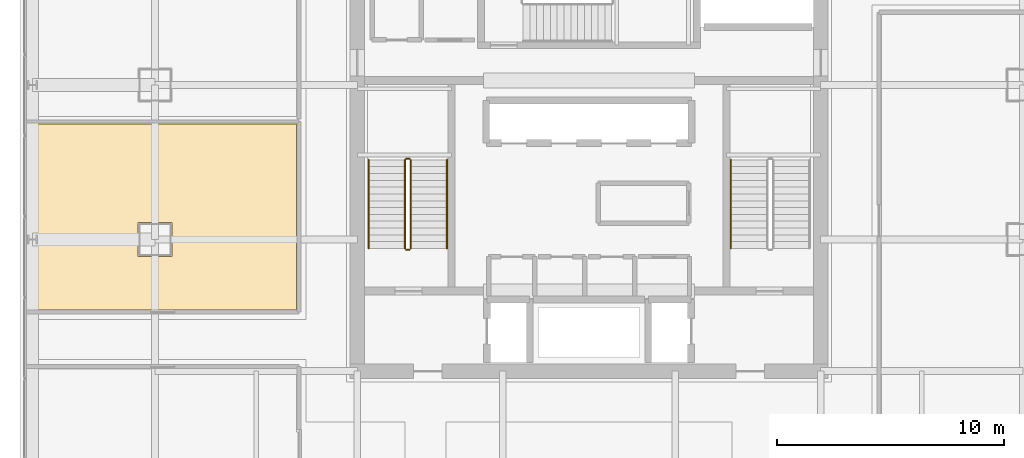
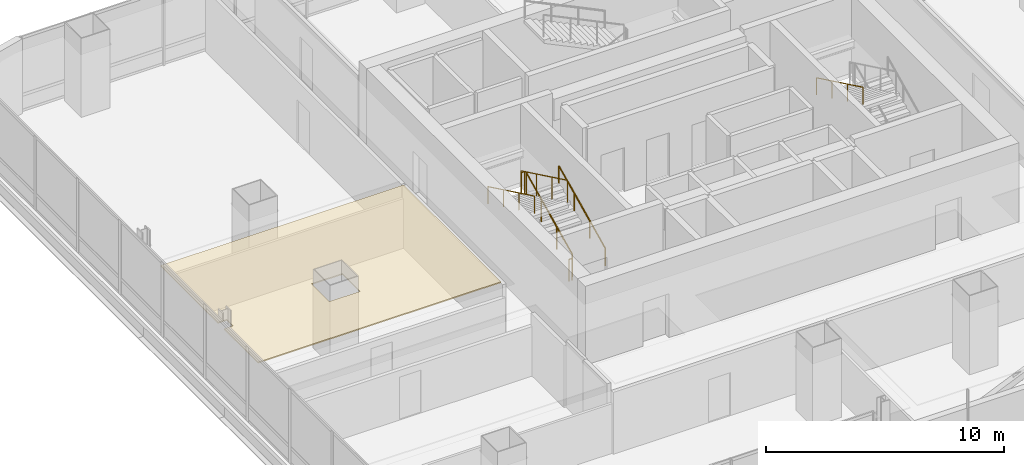
# One storey, part 33 of 38: 7 railings, 1 covering.
"""IFC4 building model written with IfcOpenShell, lengths in metres."""

from ifc_helpers import new_model, si_unit, direction, frame, origin, origin_2d, place, context, subcontext, project, spatial, polyline, circle, outline, extrude, material, layer, layer_set, type_object, element, save


model = new_model("IFC4")

# Units and contexts
model_context = context("Model", 3, precision=1e-05, world=origin(), true_north=direction((0.0, 1.0)))
body_context = subcontext(model_context, "Body", "Model", "MODEL_VIEW")
ifc_project = project(units=[si_unit("LENGTHUNIT", "METRE"), si_unit("AREAUNIT", "SQUARE_METRE"), si_unit("VOLUMEUNIT", "CUBIC_METRE"), si_unit("PLANEANGLEUNIT", "RADIAN"), si_unit("MASSUNIT", "GRAM", prefix="KILO")], contexts=[model_context])

# Site, building, storey
site_placement = place(None, origin())
site = spatial("IfcSite", under=ifc_project, at=site_placement, CompositionType="ELEMENT")
building_placement = place(site_placement, origin())
building = spatial("IfcBuilding", under=site, at=building_placement, Name="Punatoya Terracotta Tower", CompositionType="ELEMENT")
storey_placement = place(building_placement, frame((0.0, 0.0, 188.39990234375)))
storey = spatial("IfcBuildingStorey", under=building, at=storey_placement, Name="L44", CompositionType="ELEMENT", Elevation=188.39990234375)

# Covering
ifc_material_1 = material(Name="Acoustic Mineral Fibre Ceiling")
ifc_layer = layer(ifc_material_1, 0.06005859375)
ifc_layer_set = layer_set([ifc_layer], Name="Acoustic Mineral Fibre Ceiling")
covering_type = type_object("IfcCoveringType", Name="COV-CEIL-60", PredefinedType="CEILING", material=ifc_layer_set)
covering_placement = place(storey_placement, frame((0.0, 0.0, 3.22021484375)))
element("IfcCovering", 1, at=covering_placement, inside=storey, type_object=covering_type, Name="L44 Open-Plan Digital Reference Library Acoustic Ceiling", PredefinedType="CEILING", context=body_context, shape_type="SweptSolid", body=[
    extrude(outline(polyline([(-24.24560546875, -3.137451171875), (-24.24560546875, -3.66259765625), (-24.669921875, -3.66259765625), (-24.669921875, -6.5), (-12.8701171875, -6.5), (-12.8701171875, 1.68994140625), (-24.669921875, 1.68994140625), (-24.669921875, -3.137451171875), (-24.24560546875, -3.137451171875)]), holes=[polyline([(-18.35009765625, -4.14990234375), (-19.85009765625, -4.14990234375), (-19.85009765625, -2.64990234375), (-18.35009765625, -2.64990234375), (-18.35009765625, -4.14990234375)])]), origin(), (0.0, 0.0, 1.0), 0.059814453125),
])

# Railings
ifc_material_2 = material(Name="Steel S355", Category="steel")
railing_type_1 = type_object("IfcRailingType", Name="RLG-GRD-1150", PredefinedType="GUARDRAIL", material=ifc_material_2)
railing_1_placement = place(storey_placement, frame((-7.85009765625, -3.800048828125, 0.144775390625)))
element("IfcRailing", 2, at=railing_1_placement, inside=storey, type_object=railing_type_1, Name="L44 ST-1 stair guard 1", PredefinedType="GUARDRAIL", context=body_context, shape_type="SweptSolid", body=[
    extrude(circle(Radius=0.02392578125, at=origin_2d()), frame((0.0, 0.0, 1.1259765625), z_axis=(0.0, 0.900773802044, 0.434288564841), x_axis=(-1.0, 0.0, 0.0)), (0.0, 0.0, 1.0), 4.329833984375),
    extrude(circle(Radius=0.02099609375, at=origin_2d()), origin(), (0.0, 0.0, 1.0), 1.101806640625),
    extrude(circle(Radius=0.02099609375, at=origin_2d()), frame((0.0, 1.300048828125, 0.626708984375)), (0.0, 0.0, 1.0), 1.101806640625),
    extrude(circle(Radius=0.02099609375, at=origin_2d()), frame((0.0, 2.60009765625, 1.253662109375)), (0.0, 0.0, 1.0), 1.101806640625),
    extrude(circle(Radius=0.02099609375, at=origin_2d()), frame((0.0, 3.900146484375, 1.88037109375)), (0.0, 0.0, 1.0), 1.101806640625),
])
railing_2_placement = place(storey_placement, frame((-7.89990234375, 0.14990234375, 2.025146484375)))
element("IfcRailing", 3, at=railing_2_placement, inside=storey, type_object=railing_type_1, Name="L44 ST-1 stair guard 2", PredefinedType="GUARDRAIL", context=body_context, shape_type="SweptSolid", body=[
    extrude(circle(Radius=0.02392578125, at=origin_2d()), frame((0.0, 0.0, 1.1259765625), z_axis=(-1.0, 0.0, 0.0), x_axis=(0.0, -1.0, 0.0)), (0.0, 0.0, 1.0), 0.150146484375),
    extrude(circle(Radius=0.02099609375, at=origin_2d()), origin(), (0.0, 0.0, 1.0), 1.101806640625),
    extrude(circle(Radius=0.02099609375, at=origin_2d()), frame((-0.150146484375, 0.0, 0.0)), (0.0, 0.0, 1.0), 1.101806640625),
])
railing_3_placement = place(storey_placement, frame((-8.10009765625, 0.10009765625, 2.169677734375)))
element("IfcRailing", 4, at=railing_3_placement, inside=storey, type_object=railing_type_1, Name="L44 ST-1 stair guard 3", PredefinedType="GUARDRAIL", context=body_context, shape_type="SweptSolid", body=[
    extrude(circle(Radius=0.02392578125, at=origin_2d()), frame((0.0, 0.0, 1.1259765625), z_axis=(0.0, -0.900773802044, 0.434288564841), x_axis=(1.0, 0.0, 0.0)), (0.0, 0.0, 1.0), 4.329833984375),
    extrude(circle(Radius=0.02099609375, at=origin_2d()), origin(), (0.0, 0.0, 1.0), 1.101806640625),
    extrude(circle(Radius=0.02099609375, at=origin_2d()), frame((0.0, -1.300048828125, 0.626708984375)), (0.0, 0.0, 1.0), 1.101806640625),
    extrude(circle(Radius=0.02099609375, at=origin_2d()), frame((0.0, -2.60009765625, 1.253662109375)), (0.0, 0.0, 1.0), 1.101806640625),
    extrude(circle(Radius=0.02099609375, at=origin_2d()), frame((0.0, -3.900146484375, 1.88037109375)), (0.0, 0.0, 1.0), 1.101806640625),
])
railing_4_placement = place(storey_placement, frame((-7.89990234375, -3.85009765625, 0.0)))
element("IfcRailing", 5, at=railing_4_placement, inside=storey, type_object=railing_type_1, Name="L44 ST-1 stair guard 4", PredefinedType="GUARDRAIL", context=body_context, shape_type="SweptSolid", body=[
    extrude(circle(Radius=0.02392578125, at=origin_2d()), frame((0.0, 0.0, 1.1259765625), z_axis=(-1.0, 0.0, 0.0), x_axis=(0.0, -1.0, 0.0)), (0.0, 0.0, 1.0), 0.150146484375),
    extrude(circle(Radius=0.02099609375, at=origin_2d()), origin(), (0.0, 0.0, 1.0), 1.101806640625),
    extrude(circle(Radius=0.02099609375, at=origin_2d()), frame((-0.150146484375, 0.0, 0.0)), (0.0, 0.0, 1.0), 1.101806640625),
])
railing_type_2 = type_object("IfcRailingType", Name="RLG-HND-900", PredefinedType="HANDRAIL", material=ifc_material_2)
railing_5_placement = place(storey_placement, frame((-6.25, -3.800048828125, 0.144775390625)))
element("IfcRailing", 6, at=railing_5_placement, inside=storey, type_object=railing_type_2, Name="L44 ST-1 stair handrail 1", PredefinedType="HANDRAIL", context=body_context, shape_type="SweptSolid", body=[
    extrude(circle(Radius=0.02392578125, at=origin_2d()), frame((0.0, 0.0, 0.8759765625), z_axis=(0.0, 0.900773802044, 0.434288564841), x_axis=(-1.0, 0.0, 0.0)), (0.0, 0.0, 1.0), 4.329833984375),
    extrude(circle(Radius=0.02099609375, at=origin_2d()), origin(), (0.0, 0.0, 1.0), 0.851806640625),
    extrude(circle(Radius=0.02099609375, at=origin_2d()), frame((0.0, 1.300048828125, 0.626708984375)), (0.0, 0.0, 1.0), 0.851806640625),
    extrude(circle(Radius=0.02099609375, at=origin_2d()), frame((0.0, 2.60009765625, 1.253662109375)), (0.0, 0.0, 1.0), 0.851806640625),
    extrude(circle(Radius=0.02099609375, at=origin_2d()), frame((0.0, 3.900146484375, 1.88037109375)), (0.0, 0.0, 1.0), 0.851806640625),
])
for number, where, name in (
    (7, (-9.699951171875, 0.10009765625, 2.169677734375), "L44 ST-1 stair handrail 2"),
    (8, (6.25, 0.10009765625, 2.169677734375), "L44 ST-2 stair handrail 2"),
):
    element("IfcRailing", number, at=place(storey_placement, frame(where)), inside=storey, type_object=railing_type_2, Name=name, PredefinedType="HANDRAIL", context=body_context, shape_type="SweptSolid", body=[
        extrude(circle(Radius=0.02392578125, at=origin_2d()), frame((0.0, 0.0, 0.8759765625), z_axis=(0.0, -0.900773802044, 0.434288564841), x_axis=(1.0, 0.0, 0.0)), (0.0, 0.0, 1.0), 4.329833984375),
        extrude(circle(Radius=0.02099609375, at=origin_2d()), origin(), (0.0, 0.0, 1.0), 0.851806640625),
        extrude(circle(Radius=0.02099609375, at=origin_2d()), frame((0.0, -1.300048828125, 0.626708984375)), (0.0, 0.0, 1.0), 0.851806640625),
        extrude(circle(Radius=0.02099609375, at=origin_2d()), frame((0.0, -2.60009765625, 1.253662109375)), (0.0, 0.0, 1.0), 0.851806640625),
        extrude(circle(Radius=0.02099609375, at=origin_2d()), frame((0.0, -3.900146484375, 1.88037109375)), (0.0, 0.0, 1.0), 0.851806640625),
    ])

save(model, "model.ifc")
